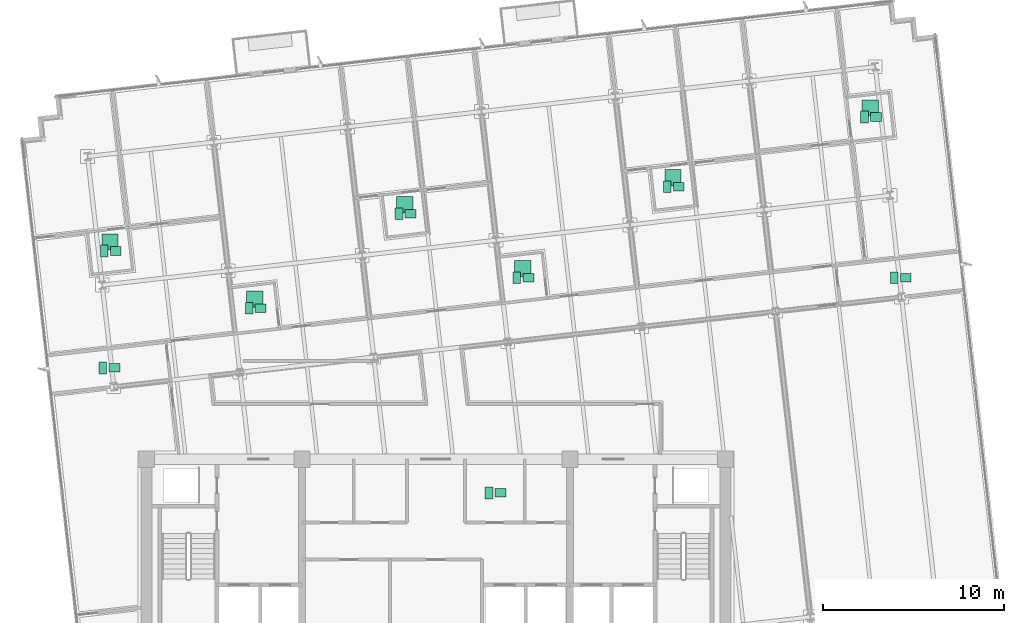
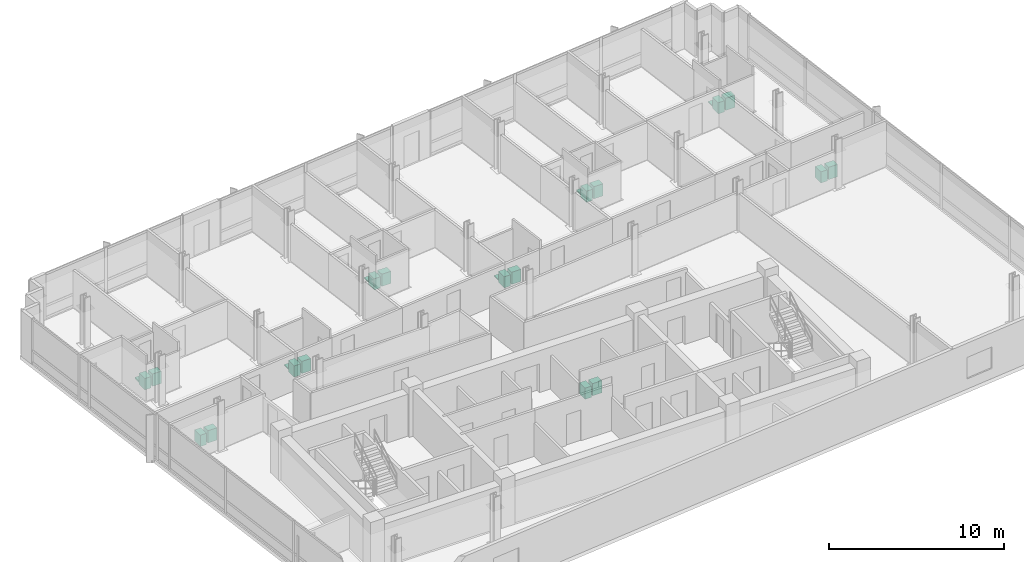
# One storey, part 17 of 17: 24 sanitary terminals.
"""IFC4 building model written with IfcOpenShell, lengths in metres."""

from ifc_helpers import new_model, si_unit, direction, frame, origin, origin_2d, place, context, subcontext, project, spatial, rectangle, extrude, material, type_object, element, save


model = new_model("IFC4")

# Units and contexts
model_context = context("Model", 3, precision=1e-05, world=origin(), true_north=direction((0.0, 1.0)))
body_context = subcontext(model_context, "Body", "Model", "MODEL_VIEW")
ifc_project = project(units=[si_unit("LENGTHUNIT", "METRE"), si_unit("AREAUNIT", "SQUARE_METRE"), si_unit("VOLUMEUNIT", "CUBIC_METRE"), si_unit("PLANEANGLEUNIT", "RADIAN"), si_unit("MASSUNIT", "GRAM", prefix="KILO")], contexts=[model_context])

# Site, building, storey
site_placement = place(None, origin())
site = spatial("IfcSite", under=ifc_project, at=site_placement, CompositionType="ELEMENT")
building_placement = place(site_placement, origin())
building = spatial("IfcBuilding", under=site, at=building_placement, Name="Solmavex Isthmus Hotel", CompositionType="ELEMENT")
storey_placement = place(building_placement, frame((0.0, 0.0, 195.14990234375)))
storey = spatial("IfcBuildingStorey", under=building, at=storey_placement, Name="L52", CompositionType="ELEMENT", Elevation=195.14990234375)

# Sanitary terminals
ifc_material = material(Name="Vitreous china ceramic", Category="ceramic")
sanitary_terminal_type_1 = type_object("IfcSanitaryTerminalType", Name="SAN-BASIN", PredefinedType="WASHHANDBASIN", material=ifc_material)
for number, where, z_axis, x_axis, name in (
    (1, (3.570068359375, -4.360107421875, 0.0), (0.0, 0.0, 1.0), (1.0, 0.0, 0.0), "Vanity Washbasin L52-237"),
    (2, (-17.68798828125, 9.004638671875, 0.0), (0.0, 0.0, 1.0), (1.0, 0.0, 0.0), "Vanity Washbasin L52-238"),
    (3, (-9.6845703125, 5.84228515625, 0.0), (0.0, 0.0, 1.0), (1.0, 0.0, 0.0), "Vanity Washbasin L52-239"),
    (4, (-1.4033203125, 11.061279296875, 0.0), (0.0, 0.0, 1.0), (1.0, 0.0, 0.0), "Vanity Washbasin L52-240"),
    (5, (5.11181640625, 7.5283203125, 0.0), (0.0, 0.0, 1.0), (1.0, 0.0, 0.0), "Vanity Washbasin L52-241"),
    (6, (13.415771484375, 12.548583984375, 0.0), (0.0, 0.0, 1.0), (1.0, 0.0, 0.0), "Vanity Washbasin L52-242"),
    (7, (24.31591796875, 16.4072265625, 0.0), (0.0, 0.0, 1.0), (1.0, 0.0, 0.0), "Vanity Washbasin L52-243"),
    (8, (-17.761474609375, 2.546875, 0.0), (0.0, 0.0, 1.0), (1.0, 0.0, 0.0), "Vanity Washbasin L52-244"),
    (9, (25.956787109375, 7.52783203125, 0.0), (0.0, 0.0, 1.0), (1.0, 0.0, 0.0), "Vanity Washbasin L52-245"),
):
    element("IfcSanitaryTerminal", number, at=place(storey_placement, frame(where, z_axis=z_axis, x_axis=x_axis)), inside=storey, type_object=sanitary_terminal_type_1, Name=name, PredefinedType="WASHHANDBASIN", context=body_context, shape_type="SweptSolid", body=[
        extrude(rectangle(XDim=0.60009765625, YDim=0.47998046875, at=origin_2d()), origin(), (0.0, 0.0, 1.0), 0.85009765625),
    ])
sanitary_terminal_type_2 = type_object("IfcSanitaryTerminalType", Name="SAN-SHOWER", PredefinedType="SHOWER", material=ifc_material)
for number, where, z_axis, x_axis, name in (
    (10, (-18.008056640625, 9.504638671875, 0.0), (0.0, 0.0, 1.0), (1.0, 0.0, 0.0), "Walk-In Shower L52-238"),
    (11, (-10.004638671875, 6.34228515625, 0.0), (0.0, 0.0, 1.0), (1.0, 0.0, 0.0), "Walk-In Shower L52-239"),
    (12, (-1.72314453125, 11.561279296875, 0.0), (0.0, 0.0, 1.0), (1.0, 0.0, 0.0), "Walk-In Shower L52-240"),
    (13, (4.791748046875, 8.0283203125, 0.0), (0.0, 0.0, 1.0), (1.0, 0.0, 0.0), "Walk-In Shower L52-241"),
    (14, (13.095703125, 13.048583984375, 0.0), (0.0, 0.0, 1.0), (1.0, 0.0, 0.0), "Walk-In Shower L52-242"),
    (15, (23.99609375, 16.9072265625, 0.0), (0.0, 0.0, 1.0), (1.0, 0.0, 0.0), "Walk-In Shower L52-243"),
):
    element("IfcSanitaryTerminal", number, at=place(storey_placement, frame(where, z_axis=z_axis, x_axis=x_axis)), inside=storey, type_object=sanitary_terminal_type_2, Name=name, PredefinedType="SHOWER", context=body_context, shape_type="SweptSolid", body=[
        extrude(rectangle(XDim=0.89990234375, YDim=0.89990234375, at=origin_2d()), origin(), (0.0, 0.0, 1.0), 0.080078125),
    ])
sanitary_terminal_type_3 = type_object("IfcSanitaryTerminalType", Name="SAN-WC-SUITE", PredefinedType="TOILETPAN", material=ifc_material)
for number, where, z_axis, x_axis, name in (
    (16, (2.929931640625, -4.360107421875, 0.0), (0.0, 0.0, 1.0), (1.0, 0.0, 0.0), "Water Closet L52-237"),
    (17, (-18.327880859375, 9.004638671875, 0.0), (0.0, 0.0, 1.0), (1.0, 0.0, 0.0), "Water Closet L52-238"),
    (18, (-10.32470703125, 5.84228515625, 0.0), (0.0, 0.0, 1.0), (1.0, 0.0, 0.0), "Water Closet L52-239"),
    (19, (-2.043212890625, 11.061279296875, 0.0), (0.0, 0.0, 1.0), (1.0, 0.0, 0.0), "Water Closet L52-240"),
    (20, (4.4716796875, 7.5283203125, 0.0), (0.0, 0.0, 1.0), (1.0, 0.0, 0.0), "Water Closet L52-241"),
    (21, (12.775634765625, 12.548583984375, 0.0), (0.0, 0.0, 1.0), (1.0, 0.0, 0.0), "Water Closet L52-242"),
    (22, (23.676025390625, 16.4072265625, 0.0), (0.0, 0.0, 1.0), (1.0, 0.0, 0.0), "Water Closet L52-243"),
    (23, (-18.401611328125, 2.546875, 0.0), (0.0, 0.0, 1.0), (1.0, 0.0, 0.0), "Water Closet L52-244"),
    (24, (25.316650390625, 7.52783203125, 0.0), (0.0, 0.0, 1.0), (1.0, 0.0, 0.0), "Water Closet L52-245"),
):
    element("IfcSanitaryTerminal", number, at=place(storey_placement, frame(where, z_axis=z_axis, x_axis=x_axis)), inside=storey, type_object=sanitary_terminal_type_3, Name=name, PredefinedType="TOILETPAN", context=body_context, shape_type="SweptSolid", body=[
        extrude(rectangle(XDim=0.419921875, YDim=0.64990234375, at=origin_2d()), origin(), (0.0, 0.0, 1.0), 0.780029296875),
    ])

save(model, "model.ifc")
